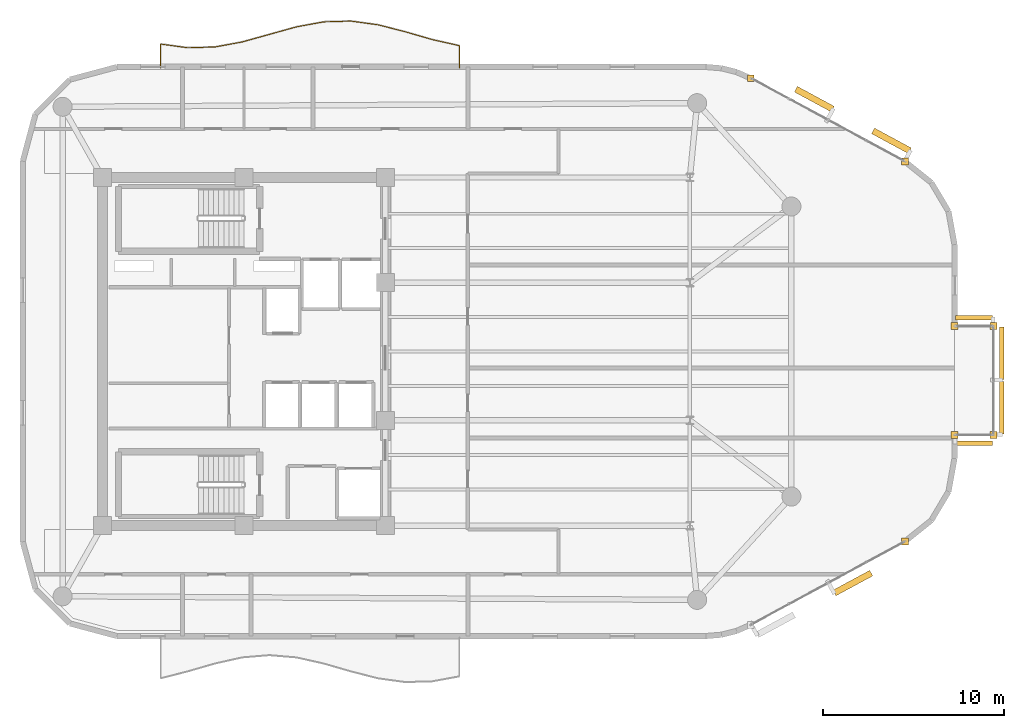
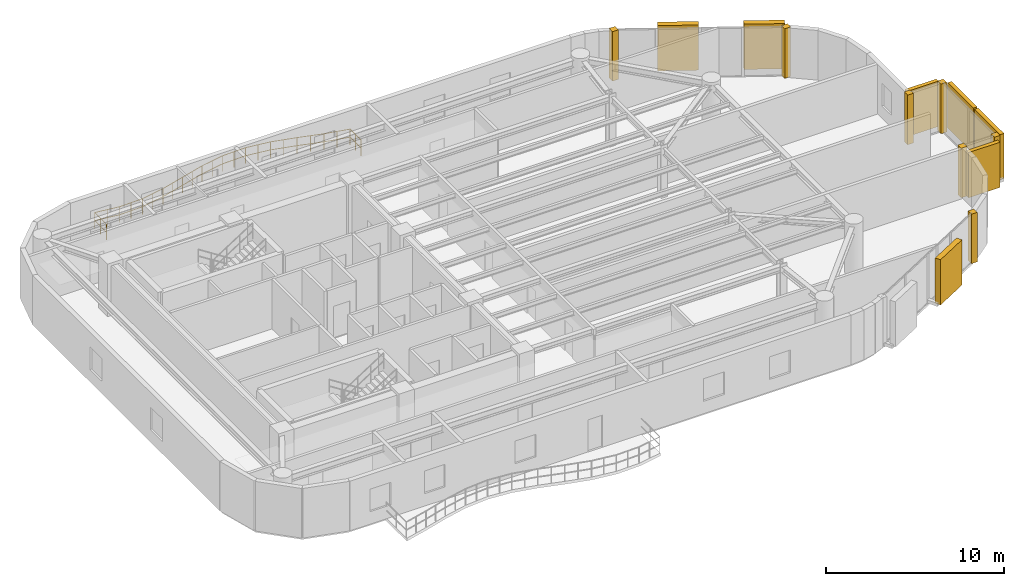
# One storey, part 14 of 14: 7 coverings, 7 shading devices, 1 railing.
"""IFC4 building model written with IfcOpenShell, lengths in metres."""

from ifc_helpers import new_model, si_unit, direction, frame, origin, origin_2d, place, context, subcontext, project, spatial, rectangle, circle, extrude, material, layer, layer_set, type_object, element, save


model = new_model("IFC4")

# Units and contexts
model_context = context("Model", 3, precision=1e-05, world=origin(), true_north=direction((0.0, 1.0)))
body_context = subcontext(model_context, "Body", "Model", "MODEL_VIEW")
ifc_project = project(units=[si_unit("LENGTHUNIT", "METRE"), si_unit("AREAUNIT", "SQUARE_METRE"), si_unit("VOLUMEUNIT", "CUBIC_METRE"), si_unit("PLANEANGLEUNIT", "RADIAN"), si_unit("MASSUNIT", "GRAM", prefix="KILO")], contexts=[model_context])

# Site, building, storey
site_placement = place(None, origin())
site = spatial("IfcSite", under=ifc_project, at=site_placement, CompositionType="ELEMENT")
building_placement = place(site_placement, origin())
building = spatial("IfcBuilding", under=site, at=building_placement, Name="An Khanh Terracotta Commons", CompositionType="ELEMENT")
storey_placement = place(building_placement, frame((0.0, 0.0, 219.300048828125)))
storey = spatial("IfcBuildingStorey", under=building, at=storey_placement, Name="L57", CompositionType="ELEMENT", Elevation=219.300048828125)

# Coverings
ifc_material_1 = material(Name="Fired Terracotta Rainscreen Cladding", Category="masonry")
ifc_layer = layer(ifc_material_1, 0.080078125, Name="Fired Terracotta Rainscreen Cladding")
ifc_layer_set = layer_set([ifc_layer], Name="Fired Terracotta Rainscreen Cladding")
covering_type = type_object("IfcCoveringType", Name="COV-JAMB-TERRA", PredefinedType="CLADDING", material=ifc_layer_set)
for number, where, z_axis, x_axis, name in (
    (1, (65.8720703125, 13.52587890625, 0.0), (0.0, 0.0, 1.0), (1.0, 0.0, 0.0), "L57 CW-03 Curtain-Wall Jamb Closure JB"),
    (2, (70.75, 19.39990234375, 0.0), (0.0, 0.0, 1.0), (1.0, 0.0, 0.0), "L57 CW-04 Curtain-Wall Jamb Closure JA"),
    (3, (70.75, 25.39990234375, 0.0), (0.0, 0.0, 1.0), (1.0, 0.0, 0.0), "L57 CW-04 Curtain-Wall Jamb Closure JB"),
    (4, (68.60009765625, 19.39990234375, 0.0), (0.0, 0.0, 1.0), (1.0, 0.0, 0.0), "L57 CW-04 Curtain-Wall Jamb Closure JA"),
    (5, (68.60009765625, 25.39990234375, 0.0), (0.0, 0.0, 1.0), (1.0, 0.0, 0.0), "L57 CW-04 Curtain-Wall Jamb Closure JB"),
    (6, (65.8720703125, 34.47412109375, 0.0), (0.0, 0.0, 1.0), (1.0, 0.0, 0.0), "L57 CW-03 Curtain-Wall Jamb Closure JA"),
    (7, (57.35693359375, 39.074951171875, 0.0), (0.0, 0.0, 1.0), (1.0, 0.0, 0.0), "L57 CW-03 Curtain-Wall Jamb Closure JB"),
):
    element("IfcCovering", number, at=place(storey_placement, frame(where, z_axis=z_axis, x_axis=x_axis)), inside=storey, type_object=covering_type, Name=name, PredefinedType="CLADDING", context=body_context, shape_type="SweptSolid", body=[
        extrude(rectangle(XDim=0.3798828125, YDim=0.3798828125, at=origin_2d()), origin(), (0.0, 0.0, 1.0), 3.39990234375),
    ])

# Railing
ifc_material_2 = material(Name="Brushed Stainless Steel 316", Category="steel")
railing_type = type_object("IfcRailingType", Name="RAIL-BALUSTRADE-1100", PredefinedType="BALUSTRADE", material=ifc_material_2)
railing_placement = place(storey_placement, frame((41.300048828125, 39.639892578125, 0.0)))
element("IfcRailing", 8, at=railing_placement, inside=storey, type_object=railing_type, Name="L57 N Wave Balcony Guard Balustrade", PredefinedType="BALUSTRADE", context=body_context, shape_type="SweptSolid", body=[
    extrude(circle(Radius=0.02392578125, at=origin_2d()), frame((0.0, 0.0, 1.076171875), z_axis=(0.0, 1.0, 0.0), x_axis=(-1.0, 0.0, 0.0)), (0.0, 0.0, 1.0), 1.22607421875),
    extrude(circle(Radius=0.02392578125, at=origin_2d()), frame((0.0, 0.0, 0.52587890625), z_axis=(0.0, 1.0, 0.0), x_axis=(-1.0, 0.0, 0.0)), (0.0, 0.0, 1.0), 1.22607421875),
    extrude(circle(Radius=0.02392578125, at=origin_2d()), frame((0.0, 1.22607421875, 1.076171875), z_axis=(-0.975691310659, 0.21914941548, 0.0), x_axis=(-0.21914941548, -0.975691310659, 0.0)), (0.0, 0.0, 1.0), 1.537353515625),
    extrude(circle(Radius=0.02392578125, at=origin_2d()), frame((0.0, 1.22607421875, 0.52587890625), z_axis=(-0.975691310659, 0.21914941548, 0.0), x_axis=(-0.21914941548, -0.975691310659, 0.0)), (0.0, 0.0, 1.0), 1.537353515625),
    extrude(circle(Radius=0.02392578125, at=origin_2d()), frame((-1.5, 1.56298828125, 1.076171875), z_axis=(-0.960753088359, 0.277404944458, 0.0), x_axis=(-0.277404944458, -0.960753088359, 0.0)), (0.0, 0.0, 1.0), 1.561279296875),
    extrude(circle(Radius=0.02392578125, at=origin_2d()), frame((-1.5, 1.56298828125, 0.52587890625), z_axis=(-0.960753088359, 0.277404944458, 0.0), x_axis=(-0.277404944458, -0.960753088359, 0.0)), (0.0, 0.0, 1.0), 1.561279296875),
    extrude(circle(Radius=0.02392578125, at=origin_2d()), frame((-3.0, 1.99609375, 1.076171875), z_axis=(-0.968754262999, 0.248022535107, 0.0), x_axis=(-0.248022535107, -0.968754262999, 0.0)), (0.0, 0.0, 1.0), 1.54833984375),
    extrude(circle(Radius=0.02392578125, at=origin_2d()), frame((-3.0, 1.99609375, 0.52587890625), z_axis=(-0.968754262999, 0.248022535107, 0.0), x_axis=(-0.248022535107, -0.968754262999, 0.0)), (0.0, 0.0, 1.0), 1.54833984375),
    extrude(circle(Radius=0.02392578125, at=origin_2d()), frame((-4.5, 2.380126953125, 1.076171875), z_axis=(-0.990696239711, 0.136091736054, 0.0), x_axis=(-0.136091736054, -0.990696239711, 0.0)), (0.0, 0.0, 1.0), 1.51416015625),
    extrude(circle(Radius=0.02392578125, at=origin_2d()), frame((-4.5, 2.380126953125, 0.52587890625), z_axis=(-0.990696239711, 0.136091736054, 0.0), x_axis=(-0.136091736054, -0.990696239711, 0.0)), (0.0, 0.0, 1.0), 1.51416015625),
    extrude(circle(Radius=0.02392578125, at=origin_2d()), frame((-6.0, 2.586181640625, 1.076171875), z_axis=(-0.999589960453, -0.028634087409, 0.0), x_axis=(0.028634087409, -0.999589960453, 0.0)), (0.0, 0.0, 1.0), 1.500732421875),
    extrude(circle(Radius=0.02392578125, at=origin_2d()), frame((-6.0, 2.586181640625, 0.52587890625), z_axis=(-0.999589960453, -0.028634087409, 0.0), x_axis=(0.028634087409, -0.999589960453, 0.0)), (0.0, 0.0, 1.0), 1.500732421875),
    extrude(circle(Radius=0.02392578125, at=origin_2d()), frame((-7.5, 2.543212890625, 1.076171875), z_axis=(-0.983475695992, -0.181040203803, 0.0), x_axis=(0.181040203803, -0.983475695992, 0.0)), (0.0, 0.0, 1.0), 1.525146484375),
    extrude(circle(Radius=0.02392578125, at=origin_2d()), frame((-7.5, 2.543212890625, 0.52587890625), z_axis=(-0.983475695992, -0.181040203803, 0.0), x_axis=(0.181040203803, -0.983475695992, 0.0)), (0.0, 0.0, 1.0), 1.525146484375),
    extrude(circle(Radius=0.02392578125, at=origin_2d()), frame((-9.0, 2.26708984375, 1.076171875), z_axis=(-0.963463971294, -0.267837965978, 0.0), x_axis=(0.267837965978, -0.963463971294, 0.0)), (0.0, 0.0, 1.0), 1.556884765625),
    extrude(circle(Radius=0.02392578125, at=origin_2d()), frame((-9.0, 2.26708984375, 0.52587890625), z_axis=(-0.963463971294, -0.267837965978, 0.0), x_axis=(0.267837965978, -0.963463971294, 0.0)), (0.0, 0.0, 1.0), 1.556884765625),
    extrude(circle(Radius=0.02392578125, at=origin_2d()), frame((-10.5, 1.85009765625, 1.076171875), z_axis=(-0.963463971294, -0.267837965978, 0.0), x_axis=(0.267837965978, -0.963463971294, 0.0)), (0.0, 0.0, 1.0), 1.556884765625),
    extrude(circle(Radius=0.02392578125, at=origin_2d()), frame((-10.5, 1.85009765625, 0.52587890625), z_axis=(-0.963463971294, -0.267837965978, 0.0), x_axis=(0.267837965978, -0.963463971294, 0.0)), (0.0, 0.0, 1.0), 1.556884765625),
    extrude(circle(Radius=0.02392578125, at=origin_2d()), frame((-12.0, 1.43310546875, 1.076171875), z_axis=(-0.983504185039, -0.180885372574, 0.0), x_axis=(0.180885372574, -0.983504185039, 0.0)), (0.0, 0.0, 1.0), 1.525146484375),
    extrude(circle(Radius=0.02392578125, at=origin_2d()), frame((-12.0, 1.43310546875, 0.52587890625), z_axis=(-0.983504185039, -0.180885372574, 0.0), x_axis=(0.180885372574, -0.983504185039, 0.0)), (0.0, 0.0, 1.0), 1.525146484375),
    extrude(circle(Radius=0.02392578125, at=origin_2d()), frame((-13.5, 1.1572265625, 1.076171875), z_axis=(-0.999585290582, -0.028796646555, 0.0), x_axis=(0.028796646555, -0.999585290582, 0.0)), (0.0, 0.0, 1.0), 1.500732421875),
    extrude(circle(Radius=0.02392578125, at=origin_2d()), frame((-13.5, 1.1572265625, 0.52587890625), z_axis=(-0.999585290582, -0.028796646555, 0.0), x_axis=(0.028796646555, -0.999585290582, 0.0)), (0.0, 0.0, 1.0), 1.500732421875),
    extrude(circle(Radius=0.02392578125, at=origin_2d()), frame((-15.0, 1.114013671875, 1.076171875), z_axis=(-0.990696239711, 0.136091736054, 0.0), x_axis=(-0.136091736054, -0.990696239711, 0.0)), (0.0, 0.0, 1.0), 1.51416015625),
    extrude(circle(Radius=0.02392578125, at=origin_2d()), frame((-15.0, 1.114013671875, 0.52587890625), z_axis=(-0.990696239711, 0.136091736054, 0.0), x_axis=(-0.136091736054, -0.990696239711, 0.0)), (0.0, 0.0, 1.0), 1.51416015625),
    extrude(circle(Radius=0.02392578125, at=origin_2d()), frame((-16.5, 1.320068359375, 1.076171875), z_axis=(0.0, -1.0, 0.0), x_axis=(1.0, 0.0, 0.0)), (0.0, 0.0, 1.0), 1.320068359375),
    extrude(circle(Radius=0.02392578125, at=origin_2d()), frame((-16.5, 1.320068359375, 0.52587890625), z_axis=(0.0, -1.0, 0.0), x_axis=(1.0, 0.0, 0.0)), (0.0, 0.0, 1.0), 1.320068359375),
    extrude(circle(Radius=0.02099609375, at=origin_2d()), origin(), (0.0, 0.0, 1.0), 1.052001953125),
    extrude(circle(Radius=0.02099609375, at=origin_2d()), frame((0.0, 0.613037109375, 0.0)), (0.0, 0.0, 1.0), 1.052001953125),
    extrude(circle(Radius=0.02099609375, at=origin_2d()), frame((0.0, 1.22607421875, 0.0)), (0.0, 0.0, 1.0), 1.052001953125),
    extrude(circle(Radius=0.02099609375, at=origin_2d()), frame((-0.75, 1.39453125, 0.0)), (0.0, 0.0, 1.0), 1.052001953125),
    extrude(circle(Radius=0.02099609375, at=origin_2d()), frame((-1.5, 1.56298828125, 0.0)), (0.0, 0.0, 1.0), 1.052001953125),
    extrude(circle(Radius=0.02099609375, at=origin_2d()), frame((-2.25, 1.779541015625, 0.0)), (0.0, 0.0, 1.0), 1.052001953125),
    extrude(circle(Radius=0.02099609375, at=origin_2d()), frame((-3.0, 1.99609375, 0.0)), (0.0, 0.0, 1.0), 1.052001953125),
    extrude(circle(Radius=0.02099609375, at=origin_2d()), frame((-3.75, 2.18798828125, 0.0)), (0.0, 0.0, 1.0), 1.052001953125),
    extrude(circle(Radius=0.02099609375, at=origin_2d()), frame((-4.5, 2.380126953125, 0.0)), (0.0, 0.0, 1.0), 1.052001953125),
    extrude(circle(Radius=0.02099609375, at=origin_2d()), frame((-5.25, 2.483154296875, 0.0)), (0.0, 0.0, 1.0), 1.052001953125),
    extrude(circle(Radius=0.02099609375, at=origin_2d()), frame((-6.0, 2.586181640625, 0.0)), (0.0, 0.0, 1.0), 1.052001953125),
    extrude(circle(Radius=0.02099609375, at=origin_2d()), frame((-6.75, 2.564697265625, 0.0)), (0.0, 0.0, 1.0), 1.052001953125),
    extrude(circle(Radius=0.02099609375, at=origin_2d()), frame((-7.5, 2.543212890625, 0.0)), (0.0, 0.0, 1.0), 1.052001953125),
    extrude(circle(Radius=0.02099609375, at=origin_2d()), frame((-8.25, 2.4052734375, 0.0)), (0.0, 0.0, 1.0), 1.052001953125),
    extrude(circle(Radius=0.02099609375, at=origin_2d()), frame((-9.0, 2.26708984375, 0.0)), (0.0, 0.0, 1.0), 1.052001953125),
    extrude(circle(Radius=0.02099609375, at=origin_2d()), frame((-9.75, 2.05859375, 0.0)), (0.0, 0.0, 1.0), 1.052001953125),
    extrude(circle(Radius=0.02099609375, at=origin_2d()), frame((-10.5, 1.85009765625, 0.0)), (0.0, 0.0, 1.0), 1.052001953125),
    extrude(circle(Radius=0.02099609375, at=origin_2d()), frame((-11.25, 1.6416015625, 0.0)), (0.0, 0.0, 1.0), 1.052001953125),
    extrude(circle(Radius=0.02099609375, at=origin_2d()), frame((-12.0, 1.43310546875, 0.0)), (0.0, 0.0, 1.0), 1.052001953125),
    extrude(circle(Radius=0.02099609375, at=origin_2d()), frame((-12.75, 1.295166015625, 0.0)), (0.0, 0.0, 1.0), 1.052001953125),
    extrude(circle(Radius=0.02099609375, at=origin_2d()), frame((-13.5, 1.1572265625, 0.0)), (0.0, 0.0, 1.0), 1.052001953125),
    extrude(circle(Radius=0.02099609375, at=origin_2d()), frame((-14.25, 1.1357421875, 0.0)), (0.0, 0.0, 1.0), 1.052001953125),
    extrude(circle(Radius=0.02099609375, at=origin_2d()), frame((-15.0, 1.114013671875, 0.0)), (0.0, 0.0, 1.0), 1.052001953125),
    extrude(circle(Radius=0.02099609375, at=origin_2d()), frame((-15.75, 1.217041015625, 0.0)), (0.0, 0.0, 1.0), 1.052001953125),
    extrude(circle(Radius=0.02099609375, at=origin_2d()), frame((-16.5, 1.320068359375, 0.0)), (0.0, 0.0, 1.0), 1.052001953125),
    extrude(circle(Radius=0.02099609375, at=origin_2d()), frame((-16.5, 0.66015625, 0.0)), (0.0, 0.0, 1.0), 1.052001953125),
    extrude(circle(Radius=0.02099609375, at=origin_2d()), frame((-16.5, 0.0, 0.0)), (0.0, 0.0, 1.0), 1.052001953125),
])

# Shading devices
ifc_material_3 = material(Name="Warm Hardwood Timber-Finish Aluminium", Category="wood")
shading_device_type_1 = type_object("IfcShadingDeviceType", Name="Shifted Box Timber-Toned Louvre Screen", PredefinedType="USERDEFINED", material=ifc_material_3)
for number, where, z_axis, x_axis, name in (
    (9, (71.199951171875, 20.89990234375, 0.14990234375), (0.0, 0.0, 1.0), (0.0, 1.0, 0.0), "L57 Louvre Screen 1"),
    (10, (71.199951171875, 23.89990234375, 0.14990234375), (0.0, 0.0, 1.0), (0.0, 1.0, 0.0), "L57 Louvre Screen 2"),
):
    element("IfcShadingDevice", number, at=place(storey_placement, frame(where, z_axis=z_axis, x_axis=x_axis)), inside=storey, type_object=shading_device_type_1, Name=name, ObjectType="LOUVRE", PredefinedType="USERDEFINED", context=body_context, shape_type="SweptSolid", body=[
        extrude(rectangle(XDim=2.8798828125, YDim=0.25, at=origin_2d()), origin(), (0.0, 0.0, 1.0), 3.10009765625),
    ])
for number, where, z_axis, x_axis, name in (
    (11, (69.675048828125, 18.949951171875, 0.14990234375), (0.0, 0.0, 1.0), (1.0, 0.0, 0.0), "L57 Louvre Screen 1"),
    (12, (69.675048828125, 25.85009765625, 0.14990234375), (0.0, 0.0, 1.0), (-1.0, 0.0, 0.0), "L57 Louvre Screen 1"),
):
    element("IfcShadingDevice", number, at=place(storey_placement, frame(where, z_axis=z_axis, x_axis=x_axis)), inside=storey, type_object=shading_device_type_1, Name=name, ObjectType="LOUVRE", PredefinedType="USERDEFINED", context=body_context, shape_type="SweptSolid", body=[
        extrude(rectangle(XDim=2.030029296875, YDim=0.25, at=origin_2d()), origin(), (0.0, 0.0, 1.0), 3.10009765625),
    ])
ifc_material_4 = material(Name="Extruded Fired Terracotta", Category="masonry")
shading_device_type_2 = type_object("IfcShadingDeviceType", Name="Terracotta Baguette Screen Assembly", PredefinedType="USERDEFINED", material=ifc_material_4)
for number, where, z_axis, x_axis, name in (
    (13, (62.988037109375, 11.22900390625, 0.14990234375), (0.0, 0.0, 1.0), (0.879780095306, 0.47538088298, 0.0), "L57 Terracotta Baguette Screen 3"),
    (14, (65.116943359375, 35.62109375, 0.14990234375), (0.0, 0.0, 1.0), (-0.879780095306, 0.47538088298, 0.0), "L57 Terracotta Baguette Screen 1"),
    (15, (60.85888671875, 37.9208984375, 0.14990234375), (0.0, 0.0, 1.0), (-0.879780095306, 0.47538088298, 0.0), "L57 Terracotta Baguette Screen 3"),
):
    element("IfcShadingDevice", number, at=place(storey_placement, frame(where, z_axis=z_axis, x_axis=x_axis)), inside=storey, type_object=shading_device_type_2, Name=name, ObjectType="BAGUETTE", PredefinedType="USERDEFINED", context=body_context, shape_type="SweptSolid", body=[
        extrude(rectangle(XDim=2.300048828125, YDim=0.35009765625, at=origin_2d()), origin(), (0.0, 0.0, 1.0), 3.10009765625),
    ])

save(model, "model.ifc")
